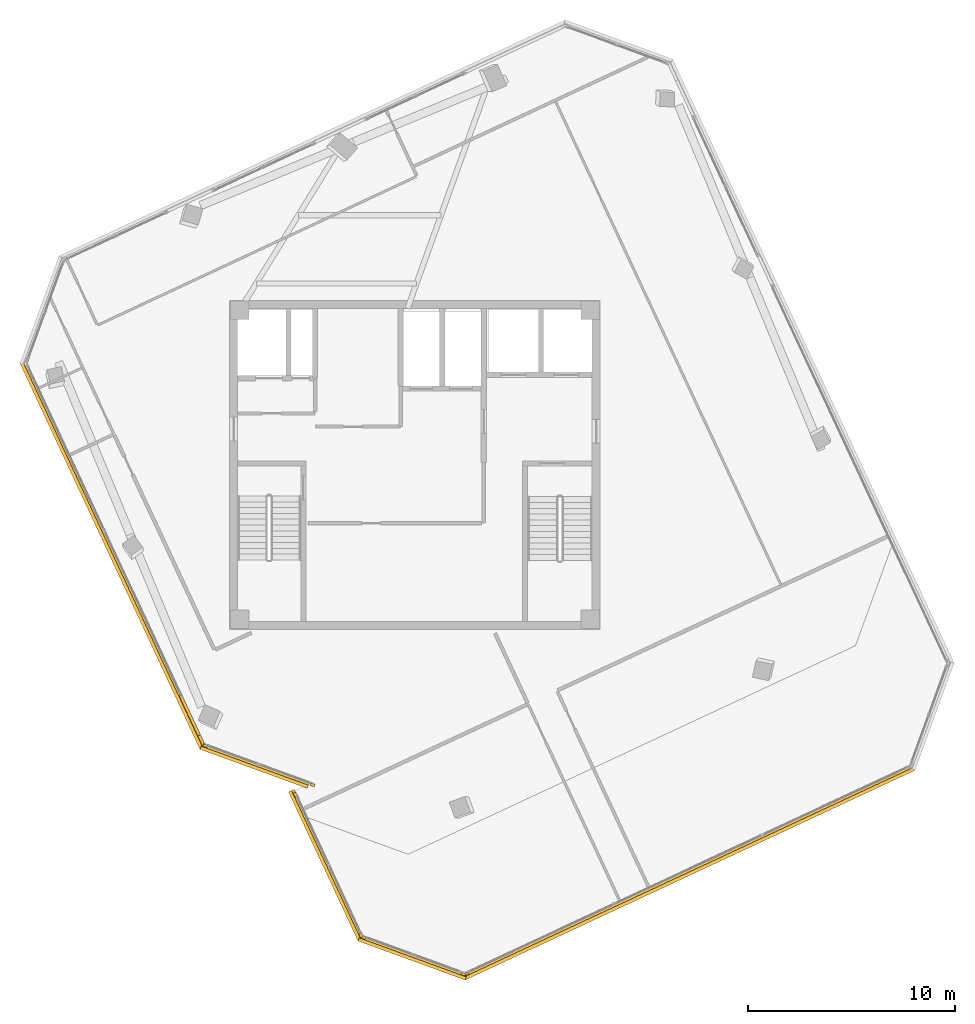
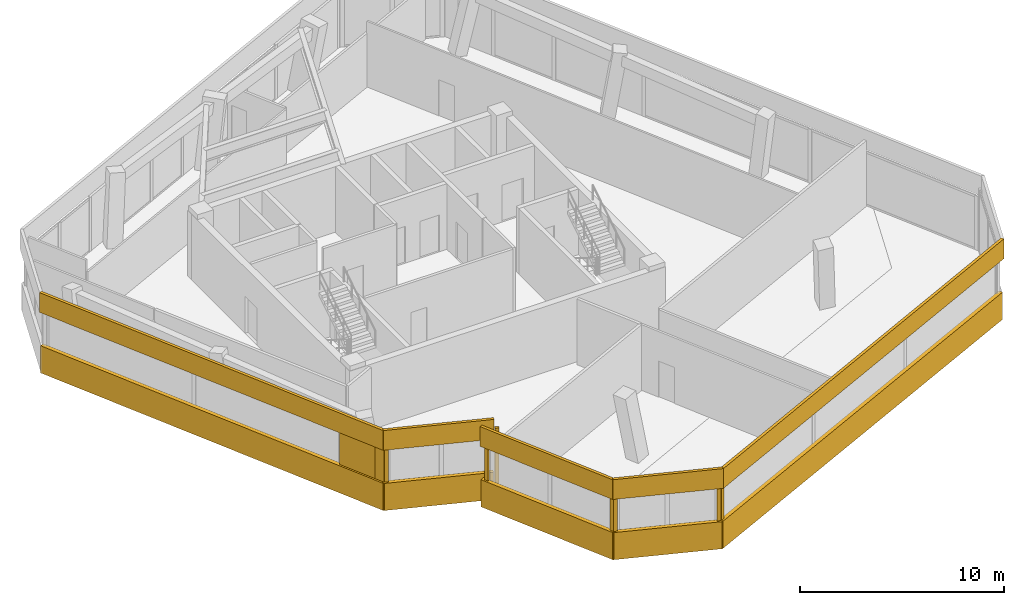
# One storey, part 14 of 16: 19 coverings.
"""IFC4 building model written with IfcOpenShell, lengths in metres."""

from ifc_helpers import new_model, si_unit, direction, frame, origin, origin_2d, place, context, subcontext, project, spatial, rectangle, extrude, source, transform, mapped, material, layer, layer_set, type_object, element, save


model = new_model("IFC4")

# Units and contexts
model_context = context("Model", 3, precision=1e-05, world=origin(), true_north=direction((0.0, 1.0)))
body_context = subcontext(model_context, "Body", "Model", "MODEL_VIEW")
ifc_project = project(units=[si_unit("LENGTHUNIT", "METRE"), si_unit("AREAUNIT", "SQUARE_METRE"), si_unit("VOLUMEUNIT", "CUBIC_METRE"), si_unit("PLANEANGLEUNIT", "RADIAN"), si_unit("MASSUNIT", "GRAM", prefix="KILO")], contexts=[model_context])

# Site, building, storey
site_placement = place(None, origin())
site = spatial("IfcSite", under=ifc_project, at=site_placement, CompositionType="ELEMENT")
building_placement = place(site_placement, origin())
building = spatial("IfcBuilding", under=site, at=building_placement, Name="Torre Montelarca", CompositionType="ELEMENT")
storey_placement = place(building_placement, frame((0.0, 0.0, 345.0)))
storey = spatial("IfcBuildingStorey", under=building, at=storey_placement, Name="L78", CompositionType="ELEMENT", Elevation=345.0)

# Coverings
ifc_material = material(Name="Bush-hammered warm white precast concrete C45/55", Category="concrete")
ifc_layer = layer(ifc_material, 0.139892578125, Name="Bush-hammered warm white precast concrete C45/55", Category="concrete")
ifc_layer_set = layer_set([ifc_layer], Name="Bush-hammered warm white precast concrete C45/55")
covering_type = type_object("IfcCoveringType", Name="COV-TRAY-CLAD", PredefinedType="CLADDING", material=ifc_layer_set)
shared_shape_1 = source(origin(), body_context, "Body", "SweptSolid", [
    extrude(rectangle(XDim=0.199951171875, YDim=0.139892578125, at=origin_2d()), origin(), (0.0, 0.0, 1.0), 3.719970703125),
])
for number, where, z_axis, x_axis, name in (
    (1, (7.891845703125, 18.462158203125, 0.0), (0.0, 0.0, 1.0), (0.939693217722, -0.342018503252, 0.0), "L78 Architectural Column Pier Cladding E02-1"),
    (2, (13.069580078125, 16.57763671875, 0.0), (0.0, 0.0, 1.0), (0.939693217722, -0.342018503252, 0.0), "L78 Architectural Column Pier Cladding E02-2"),
    (3, (12.239990234375, 16.105224609375, 0.0), (0.0, 0.0, 1.0), (0.422610352697, -0.906311475042, 0.0), "L78 Architectural Column Pier Cladding E04-1"),
    (4, (15.406005859375, 9.31494140625, 0.0), (0.0, 0.0, 1.0), (0.422610352697, -0.906311475042, 0.0), "L78 Architectural Column Pier Cladding E04-2"),
    (5, (15.51318359375, 9.216796875, 0.0), (0.0, 0.0, 1.0), (0.939696202361, -0.342010302869, 0.0), "L78 Architectural Column Pier Cladding E05-1"),
    (6, (20.34521484375, 7.458251953125, 0.0), (0.0, 0.0, 1.0), (0.939696202361, -0.342010302869, 0.0), "L78 Architectural Column Pier Cladding E05-2"),
    (7, (20.490478515625, 7.464599609375, 0.0), (0.0, 0.0, 1.0), (0.906309262247, 0.422615098127, 0.0), "L78 Architectural Column Pier Cladding E06-1"),
):
    element("IfcCovering", number, at=place(storey_placement, frame(where, z_axis=z_axis, x_axis=x_axis)), inside=storey, type_object=covering_type, Name=name, PredefinedType="CLADDING", context=body_context, shape_type="MappedRepresentation", body=[
        mapped(shared_shape_1, transform((0.0, 0.0, 0.0), scale=1.0)),
    ])
shared_shape_2 = source(origin(), body_context, "Body", "SweptSolid", [
    extrude(rectangle(XDim=5.493896484375, YDim=0.219970703125, at=origin_2d()), origin(), (0.0, 0.0, 1.0), 1.6201171875),
])
for number, where, z_axis, x_axis, name in (
    (8, (10.287353515625, 17.526611328125, -0.449951171875), (0.0, 0.0, 1.0), (0.939693217722, -0.342018503252, 0.0), "L78 Architectural White Spandrel Tray Band TRYBOT-02"),
    (9, (17.90869140625, 8.28125, -0.449951171875), (0.0, 0.0, 1.0), (0.939693217722, -0.342018503252, 0.0), "L78 Architectural White Spandrel Tray Band TRYBOT-05"),
):
    element("IfcCovering", number, at=place(storey_placement, frame(where, z_axis=z_axis, x_axis=x_axis)), inside=storey, type_object=covering_type, Name=name, PredefinedType="CLADDING", context=body_context, shape_type="MappedRepresentation", body=[
        mapped(shared_shape_2, transform((0.0, 0.0, 0.0), scale=1.0)),
    ])
shared_shape_3 = source(origin(), body_context, "Body", "SweptSolid", [
    extrude(rectangle(XDim=23.920166015625, YDim=0.219970703125, at=origin_2d()), origin(), (0.0, 0.0, 1.0), 1.6201171875),
])
covering_1_placement = place(storey_placement, frame((31.19580078125, 12.390380859375, -0.449951171875), z_axis=(0.0, 0.0, 1.0), x_axis=(0.906308524643, 0.422616679935, 0.0)))
element("IfcCovering", 10, at=covering_1_placement, inside=storey, type_object=covering_type, Name="L78 Architectural White Spandrel Tray Band TRYBOT-06", PredefinedType="CLADDING", context=body_context, shape_type="MappedRepresentation", body=[
    mapped(shared_shape_3, transform((0.0, 0.0, 0.0), scale=1.0)),
])
shared_shape_4 = source(origin(), body_context, "Body", "SweptSolid", [
    extrude(rectangle(XDim=20.52001953125, YDim=0.219970703125, at=origin_2d()), origin(), (0.0, 0.0, 1.0), 1.6201171875),
])
covering_2_placement = place(storey_placement, frame((3.46875, 27.67431640625, -0.449951171875), z_axis=(0.0, 0.0, 1.0), x_axis=(0.422616679935, -0.906308524643, 0.0)))
element("IfcCovering", 11, at=covering_2_placement, inside=storey, type_object=covering_type, Name="L78 Architectural White Spandrel Tray Band TRYBOT-01", PredefinedType="CLADDING", context=body_context, shape_type="MappedRepresentation", body=[
    mapped(shared_shape_4, transform((0.0, 0.0, 0.0), scale=1.0)),
])
shared_shape_5 = source(origin(), body_context, "Body", "SweptSolid", [
    extrude(rectangle(XDim=7.919921875, YDim=0.219970703125, at=origin_2d()), origin(), (0.0, 0.0, 1.0), 1.6201171875),
])
covering_3_placement = place(storey_placement, frame((13.75244140625, 12.71923828125, -0.449951171875), z_axis=(0.0, 0.0, 1.0), x_axis=(0.422616679935, -0.906308524643, 0.0)))
element("IfcCovering", 12, at=covering_3_placement, inside=storey, type_object=covering_type, Name="L78 Architectural White Spandrel Tray Band TRYBOT-04", PredefinedType="CLADDING", context=body_context, shape_type="MappedRepresentation", body=[
    mapped(shared_shape_5, transform((0.0, 0.0, 0.0), scale=1.0)),
])
shared_shape_6 = source(origin(), body_context, "Body", "SweptSolid", [
    extrude(rectangle(XDim=2.23779296875, YDim=0.139892578125, at=origin_2d()), origin(), (0.0, 0.0, 1.0), 3.719970703125),
])
covering_4_placement = place(storey_placement, frame((7.171630859375, 19.875244140625, 0.0), z_axis=(0.0, 0.0, 1.0), x_axis=(0.422616679935, -0.906308524643, 0.0)))
element("IfcCovering", 13, at=covering_4_placement, inside=storey, type_object=covering_type, Name="L78 Architectural Column Pier Cladding E01-2", PredefinedType="CLADDING", context=body_context, shape_type="MappedRepresentation", body=[
    mapped(shared_shape_6, transform((0.0, 0.0, 0.0), scale=1.0)),
])
shared_shape_7 = source(origin(), body_context, "Body", "SweptSolid", [
    extrude(rectangle(XDim=0.531982421875, YDim=0.139892578125, at=origin_2d()), origin(), (0.0, 0.0, 1.0), 3.719970703125),
])
covering_5_placement = place(storey_placement, frame((7.714599609375, 18.710693359375, 0.0), z_axis=(0.0, 0.0, 1.0), x_axis=(0.422616679935, -0.906308524643, 0.0)))
element("IfcCovering", 14, at=covering_5_placement, inside=storey, type_object=covering_type, Name="L78 Architectural Column Pier Cladding E01-3", PredefinedType="CLADDING", context=body_context, shape_type="MappedRepresentation", body=[
    mapped(shared_shape_7, transform((0.0, 0.0, 0.0), scale=1.0)),
])
shared_shape_8 = source(origin(), body_context, "Body", "SweptSolid", [
    extrude(rectangle(XDim=20.52001953125, YDim=0.159912109375, at=origin_2d()), origin(), (0.0, 0.0, 1.0), 1.179931640625),
])
covering_6_placement = place(storey_placement, frame((3.368896484375, 27.627685546875, 3.2099609375), z_axis=(0.0, 0.0, 1.0), x_axis=(0.422616679935, -0.906308524643, 0.0)))
element("IfcCovering", 15, at=covering_6_placement, inside=storey, type_object=covering_type, Name="L78 Architectural White Spandrel Tray Band TRYTOP-01", PredefinedType="CLADDING", context=body_context, shape_type="MappedRepresentation", body=[
    mapped(shared_shape_8, transform((0.0, 0.0, 0.0), scale=1.0)),
])
shared_shape_9 = source(origin(), body_context, "Body", "SweptSolid", [
    extrude(rectangle(XDim=5.493896484375, YDim=0.159912109375, at=origin_2d()), origin(), (0.0, 0.0, 1.0), 1.179931640625),
])
for number, where, z_axis, x_axis, name in (
    (16, (10.249755859375, 17.423095703125, 3.2099609375), (0.0, 0.0, 1.0), (0.939693217722, -0.342018503252, 0.0), "L78 Architectural White Spandrel Tray Band TRYTOP-02"),
    (17, (17.87109375, 8.177734375, 3.2099609375), (0.0, 0.0, 1.0), (0.939693217722, -0.342018503252, 0.0), "L78 Architectural White Spandrel Tray Band TRYTOP-05"),
):
    element("IfcCovering", number, at=place(storey_placement, frame(where, z_axis=z_axis, x_axis=x_axis)), inside=storey, type_object=covering_type, Name=name, PredefinedType="CLADDING", context=body_context, shape_type="MappedRepresentation", body=[
        mapped(shared_shape_9, transform((0.0, 0.0, 0.0), scale=1.0)),
    ])
shared_shape_10 = source(origin(), body_context, "Body", "SweptSolid", [
    extrude(rectangle(XDim=7.919921875, YDim=0.159912109375, at=origin_2d()), origin(), (0.0, 0.0, 1.0), 1.179931640625),
])
covering_7_placement = place(storey_placement, frame((13.65283203125, 12.6728515625, 3.2099609375), z_axis=(0.0, 0.0, 1.0), x_axis=(0.422616679935, -0.906308524643, 0.0)))
element("IfcCovering", 18, at=covering_7_placement, inside=storey, type_object=covering_type, Name="L78 Architectural White Spandrel Tray Band TRYTOP-04", PredefinedType="CLADDING", context=body_context, shape_type="MappedRepresentation", body=[
    mapped(shared_shape_10, transform((0.0, 0.0, 0.0), scale=1.0)),
])
shared_shape_11 = source(origin(), body_context, "Body", "SweptSolid", [
    extrude(rectangle(XDim=23.920166015625, YDim=0.159912109375, at=origin_2d()), origin(), (0.0, 0.0, 1.0), 1.179931640625),
])
covering_8_placement = place(storey_placement, frame((31.2421875, 12.29052734375, 3.2099609375), z_axis=(0.0, 0.0, 1.0), x_axis=(0.906308524643, 0.422616679935, 0.0)))
element("IfcCovering", 19, at=covering_8_placement, inside=storey, type_object=covering_type, Name="L78 Architectural White Spandrel Tray Band TRYTOP-06", PredefinedType="CLADDING", context=body_context, shape_type="MappedRepresentation", body=[
    mapped(shared_shape_11, transform((0.0, 0.0, 0.0), scale=1.0)),
])

save(model, "model.ifc")
